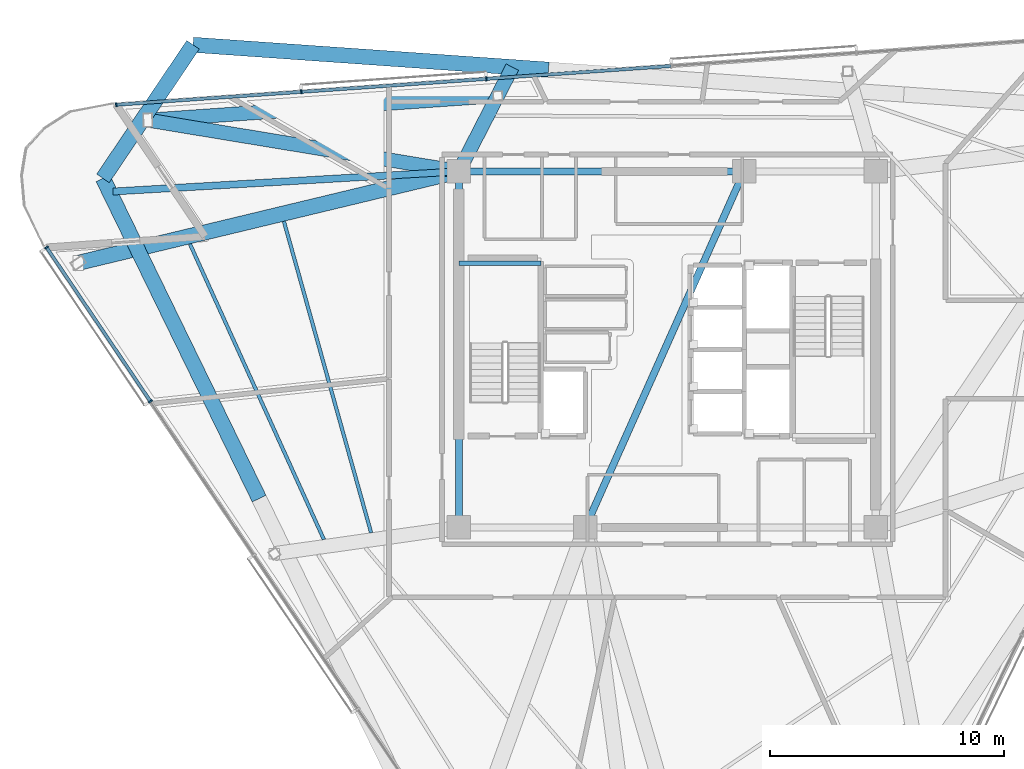
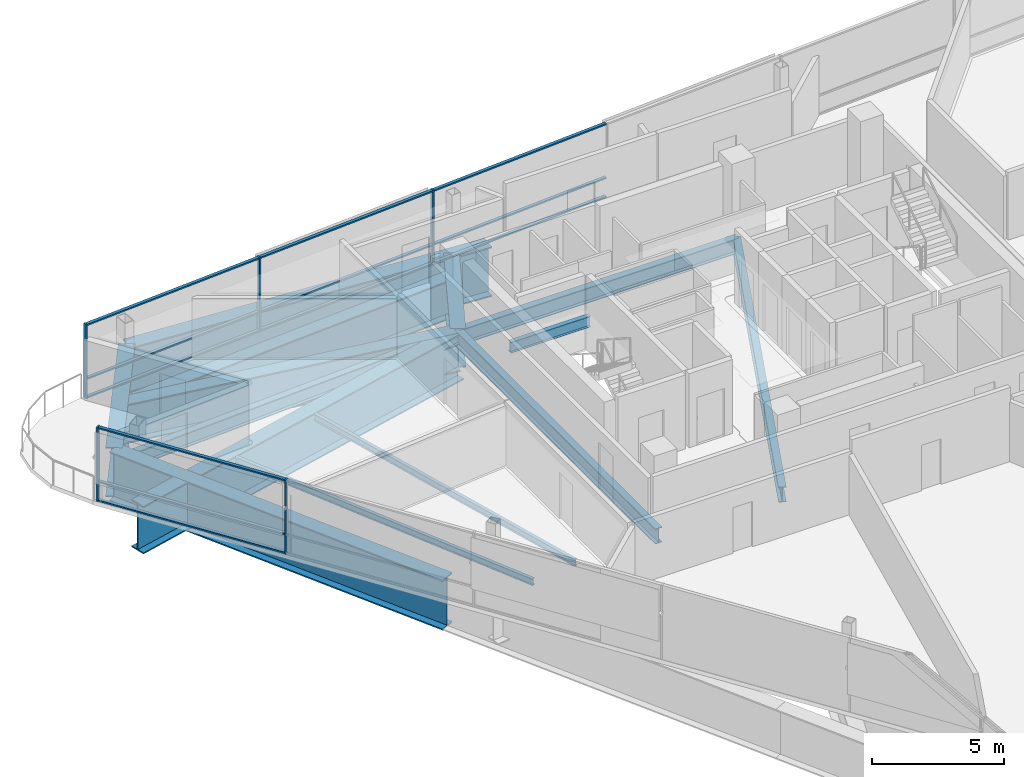
# One storey, part 6 of 17: 17 members, 14 beams, 2 elements without a shape of their own.
"""IFC4 building model written with IfcOpenShell, lengths in metres."""

from ifc_helpers import new_model, si_unit, direction, frame, origin, origin_2d, place, context, subcontext, project, spatial, rectangle, i_section, extrude, material, layer, layer_set, material_profile, profile_set, type_object, element, aggregate, save


model = new_model("IFC4")

# Units and contexts
model_context = context("Model", 3, precision=1e-05, world=origin(), true_north=direction((0.0, 1.0)))
body_context = subcontext(model_context, "Body", "Model", "MODEL_VIEW")
ifc_project = project(units=[si_unit("LENGTHUNIT", "METRE"), si_unit("AREAUNIT", "SQUARE_METRE"), si_unit("VOLUMEUNIT", "CUBIC_METRE"), si_unit("PLANEANGLEUNIT", "RADIAN"), si_unit("MASSUNIT", "GRAM", prefix="KILO")], contexts=[model_context])

# Site, building, storey
site_placement = place(None, origin())
site = spatial("IfcSite", under=ifc_project, at=site_placement, CompositionType="ELEMENT")
building_placement = place(site_placement, origin())
building = spatial("IfcBuilding", under=site, at=building_placement, Name="Tharavind Bronze Gate", CompositionType="ELEMENT")
storey_placement = place(building_placement, frame((0.0, 0.0, 253.39990234375)))
storey = spatial("IfcBuildingStorey", under=building, at=storey_placement, Name="L65", CompositionType="ELEMENT", Elevation=253.39990234375)

# Curtain wall, members
ifc_material_1 = material(Name="Anodised Bronze Aluminium", Category="aluminium")
ifc_layer = layer(ifc_material_1, 0.219970703125)
ifc_layer_set = layer_set([ifc_layer], Name="Anodised Bronze Aluminium")
curtain_wall_type = type_object("IfcCurtainWallType", Name="UNITISED CURTAIN WALL UPPER OFFICE", PredefinedType="USERDEFINED", material=ifc_layer_set)
curtain_wall_1_placement = place(storey_placement, origin())
curtain_wall_1 = element("IfcCurtainWall", 1, at=curtain_wall_1_placement, inside=storey, type_object=curtain_wall_type, Name="L65 unitised curtain wall upper office CW-L65-S1", ObjectType="UNITISED CURTAIN WALL", PredefinedType="USERDEFINED")
member_type_1 = type_object("IfcMemberType", Name="CURTAIN WALL BRONZE MULLION 65X180", PredefinedType="MULLION", material=ifc_material_1)
member_1_placement = place(storey_placement, frame((-26.498046875, 4.352294921875, 0.000244140625), z_axis=(0.0, 0.0, 1.0), x_axis=(0.559191456526, -0.82903854853, 0.0)))
member_1 = element("IfcMember", 2, at=member_1_placement, type_object=member_type_1, Name="CW-L65-S1 mullion 1", PredefinedType="MULLION", context=body_context, shape_type="SweptSolid", body=[
    extrude(rectangle(XDim=0.06494140625, YDim=0.179931640625, at=origin_2d()), origin(), (0.0, 0.0, 1.0), 3.419921875),
])
member_2_placement = place(storey_placement, frame((-22.069091796875, -2.214111328125, 0.000244140625), z_axis=(0.0, 0.0, 1.0), x_axis=(0.559191456526, -0.82903854853, 0.0)))
member_2 = element("IfcMember", 3, at=member_2_placement, type_object=member_type_1, Name="CW-L65-S1 mullion 2", PredefinedType="MULLION", context=body_context, shape_type="SweptSolid", body=[
    extrude(rectangle(XDim=0.06494140625, YDim=0.179931640625, at=origin_2d()), origin(), (0.0, 0.0, 1.0), 3.419921875),
])

curtain_wall_2_placement = place(storey_placement, origin())
curtain_wall_2 = element("IfcCurtainWall", 4, at=curtain_wall_2_placement, inside=storey, type_object=curtain_wall_type, Name="L65 unitised curtain wall upper office CW-L65-S3", ObjectType="UNITISED CURTAIN WALL", PredefinedType="USERDEFINED")
member_3_placement = place(storey_placement, frame((-7.7236328125, 11.551025390625, 0.000244140625), z_axis=(0.0, 0.0, 1.0), x_axis=(-0.997563806758, -0.069759955899, 0.0)))
member_3 = element("IfcMember", 5, at=member_3_placement, type_object=member_type_1, Name="CW-L65-S3 mullion 5", PredefinedType="MULLION", context=body_context, shape_type="SweptSolid", body=[
    extrude(rectangle(XDim=0.06494140625, YDim=0.179931640625, at=origin_2d()), origin(), (0.0, 0.0, 1.0), 3.419921875),
])
member_4_placement = place(storey_placement, frame((-15.624755859375, 10.99853515625, 0.000244140625), z_axis=(0.0, 0.0, 1.0), x_axis=(-0.997563806758, -0.069759955899, 0.0)))
member_4 = element("IfcMember", 6, at=member_4_placement, type_object=member_type_1, Name="CW-L65-S3 mullion 6", PredefinedType="MULLION", context=body_context, shape_type="SweptSolid", body=[
    extrude(rectangle(XDim=0.06494140625, YDim=0.179931640625, at=origin_2d()), origin(), (0.0, 0.0, 1.0), 3.419921875),
])
member_5_placement = place(storey_placement, frame((-23.52587890625, 10.446044921875, 0.000244140625), z_axis=(0.0, 0.0, 1.0), x_axis=(-0.997563806758, -0.069759955899, 0.0)))
member_5 = element("IfcMember", 7, at=member_5_placement, type_object=member_type_1, Name="CW-L65-S3 mullion 7", PredefinedType="MULLION", context=body_context, shape_type="SweptSolid", body=[
    extrude(rectangle(XDim=0.06494140625, YDim=0.179931640625, at=origin_2d()), origin(), (0.0, 0.0, 1.0), 3.419921875),
])

# Member
member_type_2 = type_object("IfcMemberType", Name="CURTAIN WALL BRONZE TRANSOM 65X140", PredefinedType="USERDEFINED", material=ifc_material_1)
member_6_placement = place(storey_placement, frame((-24.283447265625, 1.069091796875, 0.000244140625), z_axis=(0.0, 0.0, 1.0), x_axis=(0.559191456526, -0.82903854853, 0.0)))
member_6 = element("IfcMember", 8, at=member_6_placement, type_object=member_type_2, Name="CW-L65-S1 transom TB1", ObjectType="TRANSOM", PredefinedType="USERDEFINED", context=body_context, shape_type="SweptSolid", body=[
    extrude(rectangle(XDim=7.8671875, YDim=0.139892578125, at=origin_2d()), origin(), (0.0, 0.0, 1.0), 0.06494140625),
])

member_7_placement = place(storey_placement, frame((-24.283447265625, 1.069091796875, 0.86767578125), z_axis=(0.0, 0.0, 1.0), x_axis=(0.559191456526, -0.82903854853, 0.0)))
member_7 = element("IfcMember", 9, at=member_7_placement, type_object=member_type_2, Name="CW-L65-S1 transom TS1", ObjectType="TRANSOM", PredefinedType="USERDEFINED", context=body_context, shape_type="SweptSolid", body=[
    extrude(rectangle(XDim=7.8671875, YDim=0.139892578125, at=origin_2d()), origin(), (0.0, 0.0, 1.0), 0.06494140625),
])

member_8_placement = place(storey_placement, frame((-24.283447265625, 1.069091796875, 3.355224609375), z_axis=(0.0, 0.0, 1.0), x_axis=(0.559191456526, -0.82903854853, 0.0)))
member_8 = element("IfcMember", 10, at=member_8_placement, type_object=member_type_2, Name="CW-L65-S1 transom TT1", ObjectType="TRANSOM", PredefinedType="USERDEFINED", context=body_context, shape_type="SweptSolid", body=[
    extrude(rectangle(XDim=7.8671875, YDim=0.139892578125, at=origin_2d()), origin(), (0.0, 0.0, 1.0), 0.06494140625),
])

aggregate(curtain_wall_1, [member_1, member_2, member_6, member_7, member_8])

member_9_placement = place(storey_placement, frame((-3.773193359375, 11.827392578125, 0.000244140625), z_axis=(0.0, 0.0, 1.0), x_axis=(-0.997563806758, -0.069759955899, 0.0)))
member_9 = element("IfcMember", 11, at=member_9_placement, type_object=member_type_2, Name="CW-L65-S3 transom TB4", ObjectType="TRANSOM", PredefinedType="USERDEFINED", context=body_context, shape_type="SweptSolid", body=[
    extrude(rectangle(XDim=7.8671875, YDim=0.139892578125, at=origin_2d()), origin(), (0.0, 0.0, 1.0), 0.06494140625),
])

member_10_placement = place(storey_placement, frame((-3.773193359375, 11.827392578125, 0.86767578125), z_axis=(0.0, 0.0, 1.0), x_axis=(-0.997563806758, -0.069759955899, 0.0)))
member_10 = element("IfcMember", 12, at=member_10_placement, type_object=member_type_2, Name="CW-L65-S3 transom TS4", ObjectType="TRANSOM", PredefinedType="USERDEFINED", context=body_context, shape_type="SweptSolid", body=[
    extrude(rectangle(XDim=7.8671875, YDim=0.139892578125, at=origin_2d()), origin(), (0.0, 0.0, 1.0), 0.06494140625),
])

member_11_placement = place(storey_placement, frame((-3.773193359375, 11.827392578125, 3.355224609375), z_axis=(0.0, 0.0, 1.0), x_axis=(-0.997563806758, -0.069759955899, 0.0)))
member_11 = element("IfcMember", 13, at=member_11_placement, type_object=member_type_2, Name="CW-L65-S3 transom TT4", ObjectType="TRANSOM", PredefinedType="USERDEFINED", context=body_context, shape_type="SweptSolid", body=[
    extrude(rectangle(XDim=7.8671875, YDim=0.139892578125, at=origin_2d()), origin(), (0.0, 0.0, 1.0), 0.06494140625),
])

member_12_placement = place(storey_placement, frame((-11.67431640625, 11.27490234375, 0.000244140625), z_axis=(0.0, 0.0, 1.0), x_axis=(-0.997563806758, -0.069759955899, 0.0)))
member_12 = element("IfcMember", 14, at=member_12_placement, type_object=member_type_2, Name="CW-L65-S3 transom TB5", ObjectType="TRANSOM", PredefinedType="USERDEFINED", context=body_context, shape_type="SweptSolid", body=[
    extrude(rectangle(XDim=7.8671875, YDim=0.139892578125, at=origin_2d()), origin(), (0.0, 0.0, 1.0), 0.06494140625),
])

member_13_placement = place(storey_placement, frame((-11.67431640625, 11.27490234375, 0.86767578125), z_axis=(0.0, 0.0, 1.0), x_axis=(-0.997563806758, -0.069759955899, 0.0)))
member_13 = element("IfcMember", 15, at=member_13_placement, type_object=member_type_2, Name="CW-L65-S3 transom TS5", ObjectType="TRANSOM", PredefinedType="USERDEFINED", context=body_context, shape_type="SweptSolid", body=[
    extrude(rectangle(XDim=7.8671875, YDim=0.139892578125, at=origin_2d()), origin(), (0.0, 0.0, 1.0), 0.06494140625),
])

member_14_placement = place(storey_placement, frame((-11.67431640625, 11.27490234375, 3.355224609375), z_axis=(0.0, 0.0, 1.0), x_axis=(-0.997563806758, -0.069759955899, 0.0)))
member_14 = element("IfcMember", 16, at=member_14_placement, type_object=member_type_2, Name="CW-L65-S3 transom TT5", ObjectType="TRANSOM", PredefinedType="USERDEFINED", context=body_context, shape_type="SweptSolid", body=[
    extrude(rectangle(XDim=7.8671875, YDim=0.139892578125, at=origin_2d()), origin(), (0.0, 0.0, 1.0), 0.06494140625),
])

member_15_placement = place(storey_placement, frame((-19.5751953125, 10.722412109375, 0.000244140625), z_axis=(0.0, 0.0, 1.0), x_axis=(-0.997563806758, -0.069759955899, 0.0)))
member_15 = element("IfcMember", 17, at=member_15_placement, type_object=member_type_2, Name="CW-L65-S3 transom TB6", ObjectType="TRANSOM", PredefinedType="USERDEFINED", context=body_context, shape_type="SweptSolid", body=[
    extrude(rectangle(XDim=7.8671875, YDim=0.139892578125, at=origin_2d()), origin(), (0.0, 0.0, 1.0), 0.06494140625),
])

member_16_placement = place(storey_placement, frame((-19.5751953125, 10.722412109375, 0.86767578125), z_axis=(0.0, 0.0, 1.0), x_axis=(-0.997563806758, -0.069759955899, 0.0)))
member_16 = element("IfcMember", 18, at=member_16_placement, type_object=member_type_2, Name="CW-L65-S3 transom TS6", ObjectType="TRANSOM", PredefinedType="USERDEFINED", context=body_context, shape_type="SweptSolid", body=[
    extrude(rectangle(XDim=7.8671875, YDim=0.139892578125, at=origin_2d()), origin(), (0.0, 0.0, 1.0), 0.06494140625),
])

member_17_placement = place(storey_placement, frame((-19.5751953125, 10.722412109375, 3.355224609375), z_axis=(0.0, 0.0, 1.0), x_axis=(-0.997563806758, -0.069759955899, 0.0)))
member_17 = element("IfcMember", 19, at=member_17_placement, type_object=member_type_2, Name="CW-L65-S3 transom TT6", ObjectType="TRANSOM", PredefinedType="USERDEFINED", context=body_context, shape_type="SweptSolid", body=[
    extrude(rectangle(XDim=7.8671875, YDim=0.139892578125, at=origin_2d()), origin(), (0.0, 0.0, 1.0), 0.06494140625),
])

aggregate(curtain_wall_2, [member_3, member_4, member_5, member_9, member_10, member_11, member_12, member_13, member_14, member_15, member_16, member_17])

# Beams
ifc_material_2 = material(Name="Steel S355", Category="steel")
ifc_material_profile_1 = material_profile(ifc_material_2, i_section(OverallWidth=0.300048828125, OverallDepth=0.64990234375, WebThickness=0.01611328125, FlangeThickness=0.031005859375, at=origin_2d()), Name="HE650B")
ifc_profile_set_1 = profile_set([ifc_material_profile_1], Name="Steel S355")
beam_type_1 = type_object("IfcBeamType", Name="PRIMARY GIRDER HE650B", PredefinedType="USERDEFINED", material=ifc_profile_set_1)
beam_1_placement = place(storey_placement, frame((-8.89990234375, 7.60009765625, -0.514892578125), z_axis=(-0.998314047526, -0.058043625934, 0.0), x_axis=(0.058043625934, -0.998314047526, 0.0)))
element("IfcBeam", 20, at=beam_1_placement, inside=storey, type_object=beam_type_1, Name="L65 primary girder he650b BM-L65-BLCSB", ObjectType="GIRDER", PredefinedType="USERDEFINED", context=body_context, shape_type="SweptSolid", body=[
    extrude(i_section(OverallWidth=0.300048828125, OverallDepth=0.64990234375, WebThickness=0.01611328125, FlangeThickness=0.031005859375, at=origin_2d()), origin(), (0.0, 0.0, 1.0), 14.788818359375),
])
ifc_material_profile_2 = material_profile(ifc_material_2, i_section(OverallWidth=0.199951171875, OverallDepth=0.5, WebThickness=0.01025390625, FlangeThickness=0.01611328125, at=origin_2d()), Name="IPE500")
ifc_profile_set_2 = profile_set([ifc_material_profile_2], Name="Steel S355")
beam_type_2 = type_object("IfcBeamType", Name="PRIMARY GIRDER IPE500", PredefinedType="USERDEFINED", material=ifc_profile_set_2)
beam_2_placement = place(storey_placement, frame((-8.89990234375, 3.679931640625, 1.35009765625), z_axis=(1.0, 0.0, 0.0), x_axis=(0.0, 1.0, 0.0)))
element("IfcBeam", 21, at=beam_2_placement, inside=storey, type_object=beam_type_2, Name="L65 primary girder ipe500 BM-LD-ST1-L65-1", ObjectType="GIRDER", PredefinedType="USERDEFINED", context=body_context, shape_type="SweptSolid", body=[
    extrude(i_section(OverallWidth=0.199951171875, OverallDepth=0.5, WebThickness=0.01025390625, FlangeThickness=0.01611328125, at=origin_2d()), origin(), (0.0, 0.0, 1.0), 3.5),
])
ifc_material_profile_3 = material_profile(ifc_material_2, i_section(OverallWidth=0.300048828125, OverallDepth=0.699951171875, WebThickness=0.01708984375, FlangeThickness=0.031982421875, at=origin_2d()), Name="HE700B")
ifc_profile_set_3 = profile_set([ifc_material_profile_3], Name="Steel S355")
beam_type_3 = type_object("IfcBeamType", Name="RING GIRDER HE700B", PredefinedType="USERDEFINED", material=ifc_profile_set_3)
beam_3_placement = place(storey_placement, frame((3.280029296875, 7.60009765625, -0.539794921875), z_axis=(-1.0, 0.0, 0.0), x_axis=(0.0, -1.0, 0.0)))
element("IfcBeam", 22, at=beam_3_placement, inside=storey, type_object=beam_type_3, Name="L65 ring girder he700b BM-L65-CR5", ObjectType="GIRDER", PredefinedType="USERDEFINED", context=body_context, shape_type="SweptSolid", body=[
    extrude(i_section(OverallWidth=0.300048828125, OverallDepth=0.699951171875, WebThickness=0.01708984375, FlangeThickness=0.031982421875, at=origin_2d()), origin(), (0.0, 0.0, 1.0), 12.179931640625),
])
beam_4_placement = place(storey_placement, frame((-8.89990234375, 7.60009765625, -0.539794921875), z_axis=(0.0, -1.0, 0.0), x_axis=(1.0, 0.0, 0.0)))
element("IfcBeam", 23, at=beam_4_placement, inside=storey, type_object=beam_type_3, Name="L65 ring girder he700b BM-L65-CR6", ObjectType="GIRDER", PredefinedType="USERDEFINED", context=body_context, shape_type="SweptSolid", body=[
    extrude(i_section(OverallWidth=0.300048828125, OverallDepth=0.699951171875, WebThickness=0.01708984375, FlangeThickness=0.031982421875, at=origin_2d()), origin(), (0.0, 0.0, 1.0), 15.2001953125),
])
beam_5_placement = place(storey_placement, frame((-3.5, -7.60009765625, -0.539794921875), z_axis=(0.407361644566, 0.913266932795, 0.0), x_axis=(-0.913266932795, 0.407361644566, 0.0)))
element("IfcBeam", 24, at=beam_5_placement, inside=storey, type_object=beam_type_3, Name="L65 ring girder he700b BM-L65-CR7", ObjectType="GIRDER", PredefinedType="USERDEFINED", context=body_context, shape_type="SweptSolid", body=[
    extrude(i_section(OverallWidth=0.300048828125, OverallDepth=0.699951171875, WebThickness=0.01708984375, FlangeThickness=0.031982421875, at=origin_2d()), origin(), (0.0, 0.0, 1.0), 16.643798828125),
])
ifc_material_profile_4 = material_profile(ifc_material_2, i_section(OverallWidth=0.14990234375, OverallDepth=0.300048828125, WebThickness=0.007080078125, FlangeThickness=0.0107421875, at=origin_2d()), Name="IPE300")
ifc_profile_set_4 = profile_set([ifc_material_profile_4], Name="Steel S355")
beam_type_4 = type_object("IfcBeamType", Name="SECONDARY FLOOR JOIST IPE300", PredefinedType="JOIST", material=ifc_profile_set_4)
beam_6_placement = place(storey_placement, frame((-16.367431640625, 5.467041015625, -0.33984375), z_axis=(0.269664694622, -0.962954283689, 0.0), x_axis=(0.962954283689, 0.269664694622, 0.0)))
element("IfcBeam", 25, at=beam_6_placement, inside=storey, type_object=beam_type_4, Name="L65 secondary floor joist ipe300 BM-L65-JSTA01", PredefinedType="JOIST", context=body_context, shape_type="SweptSolid", body=[
    extrude(i_section(OverallWidth=0.14990234375, OverallDepth=0.300048828125, WebThickness=0.007080078125, FlangeThickness=0.0107421875, at=origin_2d()), origin(), (0.0, 0.0, 1.0), 13.803955078125),
])
beam_7_placement = place(storey_placement, frame((-20.38037109375, 4.502685546875, -0.33984375), z_axis=(0.412855821162, -0.910796393786, 0.0), x_axis=(0.910796393786, 0.412855821162, 0.0)))
element("IfcBeam", 26, at=beam_7_placement, inside=storey, type_object=beam_type_4, Name="L65 secondary floor joist ipe300 BM-L65-JSTB01", PredefinedType="JOIST", context=body_context, shape_type="SweptSolid", body=[
    extrude(i_section(OverallWidth=0.14990234375, OverallDepth=0.300048828125, WebThickness=0.007080078125, FlangeThickness=0.0107421875, at=origin_2d()), origin(), (0.0, 0.0, 1.0), 13.8505859375),
])
ifc_material_3 = material(Name="Steel S460", Category="steel")
ifc_material_profile_5 = material_profile(ifc_material_3, i_section(OverallWidth=0.60009765625, OverallDepth=1.800048828125, WebThickness=0.031982421875, FlangeThickness=0.054931640625, at=origin_2d()), Name="PG1800X600")
ifc_profile_set_5 = profile_set([ifc_material_profile_5], Name="Steel S460")
beam_type_5 = type_object("IfcBeamType", Name="TRANSFER GIRDER 1800X600", PredefinedType="USERDEFINED", material=ifc_profile_set_5)
beam_8_placement = place(storey_placement, frame((-7.239501953125, 10.8330078125, -1.08984375), z_axis=(-0.997564665038, -0.069747681447, 0.0), x_axis=(0.069747681447, -0.997564665038, 0.0)))
element("IfcBeam", 27, at=beam_8_placement, inside=storey, type_object=beam_type_5, Name="L65 transfer girder 1800x600 BM-L65-URG11", ObjectType="TRANSFER GIRDER", PredefinedType="USERDEFINED", context=body_context, shape_type="SweptSolid", body=[
    extrude(i_section(OverallWidth=0.60009765625, OverallDepth=1.800048828125, WebThickness=0.031982421875, FlangeThickness=0.054931640625, at=origin_2d()), origin(), (0.0, 0.0, 1.0), 14.974365234375),
])
beam_9_placement = place(storey_placement, frame((-8.89990234375, 7.60009765625, -1.08984375), z_axis=(0.456883965181, 0.889526302231, 0.0), x_axis=(-0.889526302231, 0.456883965181, 0.0)))
element("IfcBeam", 28, at=beam_9_placement, inside=storey, type_object=beam_type_5, Name="L65 transfer girder 1800x600 BM-L65-XFR11", ObjectType="TRANSFER GIRDER", PredefinedType="USERDEFINED", context=body_context, shape_type="SweptSolid", body=[
    extrude(i_section(OverallWidth=0.60009765625, OverallDepth=1.800048828125, WebThickness=0.031982421875, FlangeThickness=0.054931640625, at=origin_2d()), origin(), (0.0, 0.0, 1.0), 5.00537109375),
])
beam_10_placement = place(storey_placement, frame((-8.89990234375, 7.60009765625, -1.08984375), z_axis=(-0.986687165668, 0.162629754674, 0.0), x_axis=(-0.162629754674, -0.986687165668, 0.0)))
element("IfcBeam", 29, at=beam_10_placement, inside=storey, type_object=beam_type_5, Name="L65 transfer girder 1800x600 BM-L65-XFR12", ObjectType="TRANSFER GIRDER", PredefinedType="USERDEFINED", context=body_context, shape_type="SweptSolid", body=[
    extrude(i_section(OverallWidth=0.60009765625, OverallDepth=1.800048828125, WebThickness=0.031982421875, FlangeThickness=0.054931640625, at=origin_2d()), origin(), (0.0, 0.0, 1.0), 13.674560546875),
])
ifc_material_profile_6 = material_profile(ifc_material_3, i_section(OverallWidth=0.64990234375, OverallDepth=2.199951171875, WebThickness=0.035888671875, FlangeThickness=0.054931640625, at=origin_2d()), Name="PG2200X650")
ifc_profile_set_6 = profile_set([ifc_material_profile_6], Name="Steel S460")
beam_type_6 = type_object("IfcBeamType", Name="TRANSFER GIRDER 2200X650", PredefinedType="USERDEFINED", material=ifc_profile_set_6)
beam_11_placement = place(storey_placement, frame((-8.89990234375, 7.60009765625, -1.289794921875), z_axis=(-0.97231233309, -0.23368510205, 0.0), x_axis=(0.23368510205, -0.97231233309, 0.0)))
element("IfcBeam", 30, at=beam_11_placement, inside=storey, type_object=beam_type_6, Name="L65 transfer girder 2200x650 BM-L65-XFR01", ObjectType="TRANSFER GIRDER", PredefinedType="USERDEFINED", context=body_context, shape_type="SweptSolid", body=[
    extrude(i_section(OverallWidth=0.64990234375, OverallDepth=2.199951171875, WebThickness=0.035888671875, FlangeThickness=0.054931640625, at=origin_2d()), origin(), (0.0, 0.0, 1.0), 16.712646484375),
])
ifc_material_profile_7 = material_profile(ifc_material_3, i_section(OverallWidth=0.64990234375, OverallDepth=2.300048828125, WebThickness=0.035888671875, FlangeThickness=0.05810546875, at=origin_2d()), Name="PG2300X650")
ifc_profile_set_7 = profile_set([ifc_material_profile_7], Name="Steel S460")
beam_type_7 = type_object("IfcBeamType", Name="TRANSFER GIRDER 2300X650", PredefinedType="USERDEFINED", material=ifc_profile_set_7)
for number, where, z_axis, x_axis, name in (
    (31, (-24.093505859375, 7.302001953125, -1.33984375), (0.438370186885, -0.898794514475, 0.0), (0.898794514475, 0.438370186885, 0.0), "L65 transfer girder 2300x650 BM-L65-LRG01"),
    (32, (-5.0732421875, 11.944580078125, -1.33984375), (-0.997563917828, 0.069758367582, 0.0), (-0.069758367582, -0.997563917828, 0.0), "L65 transfer girder 2300x650 BM-L65-LRG11"),
):
    element("IfcBeam", number, at=place(storey_placement, frame(where, z_axis=z_axis, x_axis=x_axis)), inside=storey, type_object=beam_type_7, Name=name, ObjectType="TRANSFER GIRDER", PredefinedType="USERDEFINED", context=body_context, shape_type="SweptSolid", body=[
        extrude(i_section(OverallWidth=0.64990234375, OverallDepth=2.300048828125, WebThickness=0.035888671875, FlangeThickness=0.05810546875, at=origin_2d()), origin(), (0.0, 0.0, 1.0), 15.210205078125),
    ])
beam_12_placement = place(storey_placement, frame((-20.246337890625, 13.005615234375, -1.33984375), z_axis=(-0.559196123664, -0.829035400498, 0.0), x_axis=(0.829035400498, -0.559196123664, 0.0)))
element("IfcBeam", 33, at=beam_12_placement, inside=storey, type_object=beam_type_7, Name="L65 transfer girder 2300x650 BM-L65-LRG12", ObjectType="TRANSFER GIRDER", PredefinedType="USERDEFINED", context=body_context, shape_type="SweptSolid", body=[
    extrude(i_section(OverallWidth=0.64990234375, OverallDepth=2.300048828125, WebThickness=0.035888671875, FlangeThickness=0.05810546875, at=origin_2d()), origin(), (0.0, 0.0, 1.0), 6.8798828125),
])

save(model, "model.ifc")
